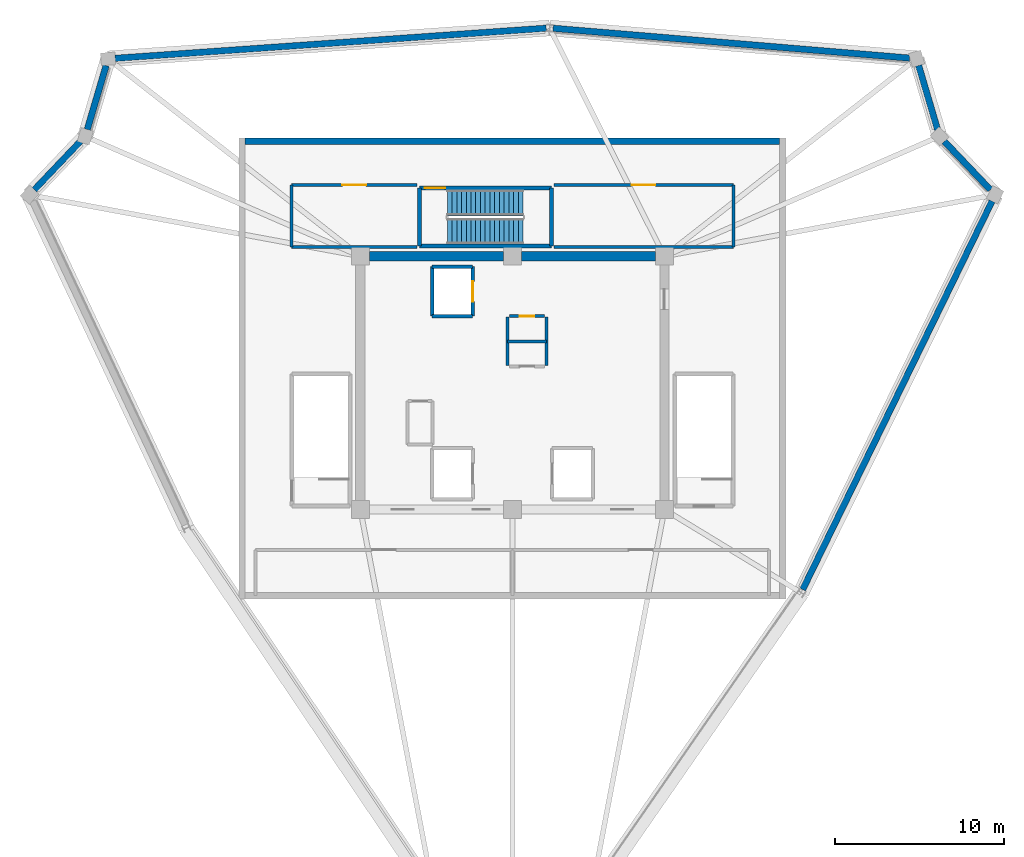
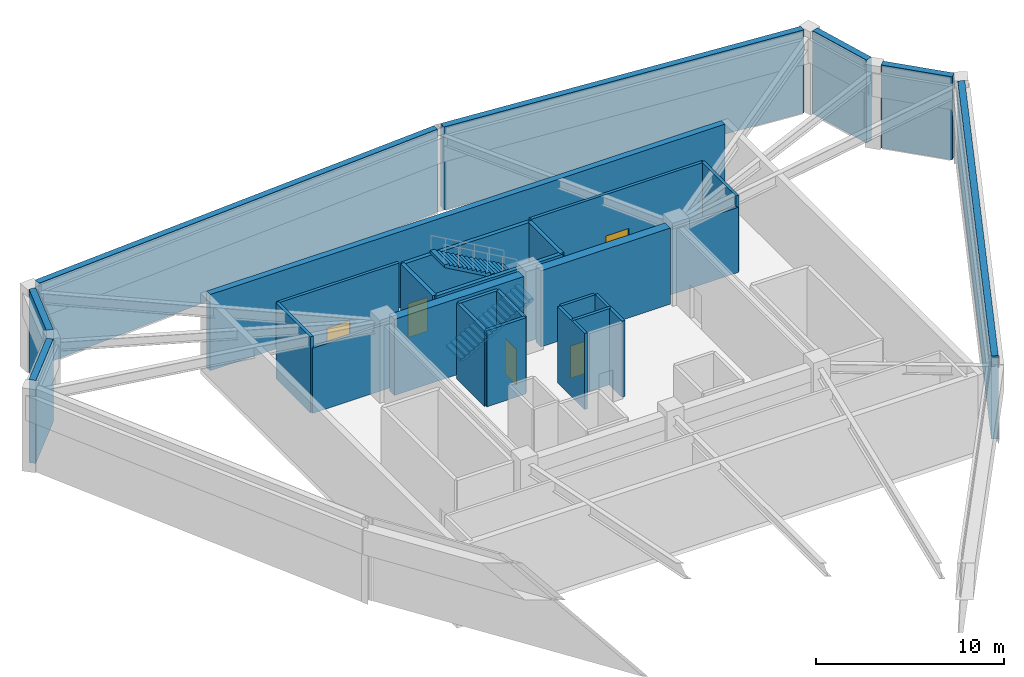
# One storey, part 5 of 6: 28 walls, 5 doors, 2 stair flights, 5 openings, 1 element without a shape of its own.
"""IFC4 building model written with IfcOpenShell, lengths in metres."""

from ifc_helpers import new_model, si_unit, direction, frame, frame_2d, origin, place, context, subcontext, project, spatial, polyline, rectangle, outline, extrude, source, transform, mapped, material, layer, layer_set, type_object, element, fill, aggregate, save


model = new_model("IFC4")

# Units and contexts
model_context = context("Model", 3, precision=1e-05, world=origin(), true_north=direction((0.0, 1.0)))
body_context = subcontext(model_context, "Body", "Model", "MODEL_VIEW")
ifc_project = project(units=[si_unit("LENGTHUNIT", "METRE"), si_unit("AREAUNIT", "SQUARE_METRE"), si_unit("VOLUMEUNIT", "CUBIC_METRE"), si_unit("PLANEANGLEUNIT", "RADIAN"), si_unit("MASSUNIT", "GRAM", prefix="KILO")], contexts=[model_context])

# Site, building, storey
site_placement = place(None, origin())
site = spatial("IfcSite", under=ifc_project, at=site_placement, CompositionType="ELEMENT")
building_placement = place(site_placement, origin())
building = spatial("IfcBuilding", under=site, at=building_placement, Name="Liaohun Quay Tower", CompositionType="ELEMENT")
storey_placement = place(building_placement, frame((0.0, 0.0, 366.0)))
storey = spatial("IfcBuildingStorey", under=building, at=storey_placement, Name="L94", CompositionType="ELEMENT", Elevation=366.0)

# Walls
ifc_material_1 = material(Name="Concrete C50", Category="concrete")
ifc_layer_1 = layer(ifc_material_1, 0.550048828125, Name="Concrete C50", Category="concrete")
ifc_layer_set_1 = layer_set([ifc_layer_1], Name="Concrete C50")
wall_type_1 = type_object("IfcWallType", Name="WAL-COR-Z4", PredefinedType="SHEAR", material=ifc_layer_set_1)
for number, where, z_axis, x_axis, name in (
    (1, (51.52490234375, 61.5, 0.0), (0.0, 0.0, 1.0), (1.0, 0.0, 0.0), "L94 Central Core Shear Wall N-W"),
    (2, (60.52490234375, 61.5, 0.0), (0.0, 0.0, 1.0), (1.0, 0.0, 0.0), "L94 Central Core Shear Wall N-E"),
):
    element("IfcWall", number, at=place(storey_placement, frame(where, z_axis=z_axis, x_axis=x_axis)), inside=storey, type_object=wall_type_1, Name=name, PredefinedType="SHEAR", context=body_context, shape_type="SweptSolid", body=[
        extrude(rectangle(XDim=7.9501953125, YDim=0.550048828125, at=frame_2d((3.97509765625, 0.0))), origin(), (0.0, 0.0, 1.0), 4.949951171875),
    ])
ifc_material_2 = material(Name="Precast concrete C50 insulated sandwich", Category="concrete")
ifc_layer_2 = layer(ifc_material_2, 0.3798828125, Name="Precast concrete C50 insulated sandwich", Category="concrete")
ifc_layer_set_2 = layer_set([ifc_layer_2], Name="Precast concrete C50 insulated sandwich")
wall_type_2 = type_object("IfcWallType", Name="WAL-EXT-Z34", PredefinedType="SOLIDWALL", material=ifc_layer_set_2)
wall_1_placement = place(storey_placement, frame((77.18408203125, 41.764892578125, 0.0), z_axis=(0.0, 0.0, 1.0), x_axis=(0.438352950957, 0.898802920772, 0.0)))
element("IfcWall", 3, at=wall_1_placement, inside=storey, type_object=wall_type_2, Name="L94 Crown Precast Enclosure Wall 03", PredefinedType="SOLIDWALL", context=body_context, shape_type="SweptSolid", body=[
    extrude(rectangle(XDim=25.588623046875, YDim=0.3798828125, at=frame_2d((12.79443359375, 0.0))), origin(), (0.0, 0.0, 1.0), 5.39990234375),
])
wall_2_placement = place(storey_placement, frame((88.297119140625, 65.43798828125, 0.0), z_axis=(0.0, 0.0, 1.0), x_axis=(-0.689429800436, 0.724352504152, 0.0)))
element("IfcWall", 4, at=wall_2_placement, inside=storey, type_object=wall_type_2, Name="L94 Crown Precast Enclosure Wall 04", PredefinedType="SOLIDWALL", context=body_context, shape_type="SweptSolid", body=[
    extrude(rectangle(XDim=3.949951171875, YDim=0.3798828125, at=frame_2d((1.97509765625, 0.0))), origin(), (0.0, 0.0, 1.0), 5.39990234375),
])
wall_3_placement = place(storey_placement, frame((85.1708984375, 68.998046875, 0.0), z_axis=(0.0, 0.0, 1.0), x_axis=(-0.282830565061, 0.959169886656, 0.0)))
element("IfcWall", 5, at=wall_3_placement, inside=storey, type_object=wall_type_2, Name="L94 Crown Precast Enclosure Wall 05", PredefinedType="SOLIDWALL", context=body_context, shape_type="SweptSolid", body=[
    extrude(rectangle(XDim=3.95947265625, YDim=0.3798828125, at=frame_2d((1.979736328125, 0.0))), origin(), (0.0, 0.0, 1.0), 5.39990234375),
])
wall_4_placement = place(storey_placement, frame((83.52001953125, 73.22900390625, 0.0), z_axis=(0.0, 0.0, 1.0), x_axis=(-0.996514770926, 0.083416493136, 0.0)))
element("IfcWall", 6, at=wall_4_placement, inside=storey, type_object=wall_type_2, Name="L94 Crown Precast Enclosure Wall 06", PredefinedType="SOLIDWALL", context=body_context, shape_type="SweptSolid", body=[
    extrude(rectangle(XDim=21.183837890625, YDim=0.3798828125, at=frame_2d((10.591796875, 0.0))), origin(), (0.0, 0.0, 1.0), 5.39990234375),
])
wall_5_placement = place(storey_placement, frame((62.0029296875, 74.9990234375, 0.0), z_axis=(0.0, 0.0, 1.0), x_axis=(-0.997564135174, -0.069755259409, 0.0)))
element("IfcWall", 7, at=wall_5_placement, inside=storey, type_object=wall_type_2, Name="L94 Crown Precast Enclosure Wall 07", PredefinedType="SOLIDWALL", context=body_context, shape_type="SweptSolid", body=[
    extrude(rectangle(XDim=25.588134765625, YDim=0.3798828125, at=frame_2d((12.7939453125, 0.0))), origin(), (0.0, 0.0, 1.0), 5.39990234375),
])
wall_6_placement = place(storey_placement, frame((35.946044921875, 72.787109375, 0.0), z_axis=(0.0, 0.0, 1.0), x_axis=(-0.282751831767, -0.959193099241, 0.0)))
element("IfcWall", 8, at=wall_6_placement, inside=storey, type_object=wall_type_2, Name="L94 Crown Precast Enclosure Wall 08", PredefinedType="SOLIDWALL", context=body_context, shape_type="SweptSolid", body=[
    extrude(rectangle(XDim=3.9501953125, YDim=0.3798828125, at=frame_2d((1.97509765625, 0.0))), origin(), (0.0, 0.0, 1.0), 5.39990234375),
])
wall_7_placement = place(storey_placement, frame((34.426025390625, 68.299072265625, 0.0), z_axis=(0.0, 0.0, 1.0), x_axis=(-0.689436444491, -0.724346180364, 0.0)))
element("IfcWall", 9, at=wall_7_placement, inside=storey, type_object=wall_type_2, Name="L94 Crown Precast Enclosure Wall 09", PredefinedType="SOLIDWALL", context=body_context, shape_type="SweptSolid", body=[
    extrude(rectangle(XDim=3.958251953125, YDim=0.3798828125, at=frame_2d((1.97900390625, 0.0))), origin(), (0.0, 0.0, 1.0), 5.39990234375),
])
wall_8_placement = place(storey_placement, frame((44.179931640625, 68.31005859375, 0.0), z_axis=(0.0, 0.0, 1.0), x_axis=(1.0, 0.0, 0.0)))
element("IfcWall", 10, at=wall_8_placement, inside=storey, type_object=wall_type_2, Name="L94 Crown Mechanical House Wall N", PredefinedType="SOLIDWALL", context=body_context, shape_type="SweptSolid", body=[
    extrude(rectangle(XDim=31.64013671875, YDim=0.3798828125, at=frame_2d((15.820068359375, 0.0))), origin(), (0.0, 0.0, 1.0), 4.949951171875),
])

# Wall, opening, door
ifc_material_3 = material(Name="Autoclaved aerated concrete blockwork", Category="masonry")
ifc_layer_3 = layer(ifc_material_3, 0.179931640625, Name="Autoclaved aerated concrete blockwork", Category="masonry")
ifc_layer_set_3 = layer_set([ifc_layer_3], Name="Autoclaved aerated concrete blockwork")
wall_type_3 = type_object("IfcWallType", Name="WAL-PRT-COR", PredefinedType="PARTITIONING", material=ifc_layer_set_3)
wall_9_placement = place(storey_placement, frame((59.840087890625, 57.949951171875, 0.0), z_axis=(0.0, 0.0, 1.0), x_axis=(1.0, 0.0, 0.0)))
wall_9 = element("IfcWall", 11, at=wall_9_placement, inside=storey, type_object=wall_type_3, Name="L94 Interior Partition Wall 002", PredefinedType="PARTITIONING", context=body_context, shape_type="SweptSolid", body=[
    extrude(rectangle(XDim=2.059814453125, YDim=0.179931640625, at=frame_2d((1.02978515625, 0.0))), origin(), (0.0, 0.0, 1.0), 4.949951171875),
])
shared_shape_1 = source(origin(), body_context, "Body", "SweptSolid", [
    extrude(rectangle(XDim=0.85009765625, YDim=2.10009765625, at=frame_2d((0.425048828125, 1.050048828125))), frame((0.0, 0.099853515625, 0.0), z_axis=(0.0, -1.0, 0.0), x_axis=(1.0, 0.0, 0.0)), (0.0, 0.0, 1.0), 0.199951171875),
])
opening_1_placement = place(wall_9_placement, frame((0.60498046875, 0.0, 0.0)))
opening_1 = element("IfcOpeningElement", 12, at=opening_1_placement, cuts=wall_9, Name="Opening AD1", PredefinedType="OPENING", context=body_context, shape_type="MappedRepresentation", body=[
    mapped(shared_shape_1, transform((0.0, 0.0, 0.0), x_axis=(1.0, 0.0, 0.0), y_axis=(0.0, 1.0, 0.0), z_axis=(0.0, 0.0, 1.0), scale=1.0)),
])
ifc_material_4 = material(Name="Steel riser inspection fire door", Category="steel")
door_type_1 = type_object("IfcDoorType", Name="DOR-SHF-850", OperationType="NOTDEFINED", PredefinedType="DOOR", material=ifc_material_4)
shared_shape_2 = source(origin(), body_context, "Body", "SweptSolid", [
    extrude(rectangle(XDim=0.85009765625, YDim=2.10009765625, at=frame_2d((0.425048828125, 1.050048828125))), frame((0.0, 0.02490234375, 0.0), z_axis=(0.0, -1.0, 0.0), x_axis=(1.0, 0.0, 0.0)), (0.0, 0.0, 1.0), 0.050048828125),
])
door_1_placement = place(opening_1_placement, origin())
door_1 = element("IfcDoor", 13, at=door_1_placement, inside=storey, type_object=door_type_1, Name="L94 Telecom Comms Closet Door", OperationType="SINGLE_SWING_RIGHT", OverallHeight=2.10009765625, OverallWidth=0.85009765625, PredefinedType="DOOR", context=body_context, shape_type="MappedRepresentation", body=[
    mapped(shared_shape_2, transform((0.0, 0.0, 0.0), x_axis=(1.0, 0.0, 0.0), y_axis=(0.0, 1.0, 0.0), z_axis=(0.0, 0.0, 1.0), scale=1.0)),
])
fill(opening_1, door_1)

wall_10_placement = place(storey_placement, frame((46.919921875, 65.719970703125, 0.0), z_axis=(0.0, 0.0, 1.0), x_axis=(1.0, 0.0, 0.0)))
wall_10 = element("IfcWall", 14, at=wall_10_placement, inside=storey, type_object=wall_type_3, Name="L94 Interior Partition Wall 006", PredefinedType="PARTITIONING", context=body_context, shape_type="SweptSolid", body=[
    extrude(rectangle(XDim=7.43017578125, YDim=0.179931640625, at=frame_2d((3.715087890625, 0.0))), origin(), (0.0, 0.0, 1.0), 4.949951171875),
])
shared_shape_3 = source(origin(), body_context, "Body", "SweptSolid", [
    extrude(rectangle(XDim=1.39990234375, YDim=2.25, at=frame_2d((0.699951171875, 1.125))), frame((0.0, 0.099853515625, 0.0), z_axis=(0.0, -1.0, 0.0), x_axis=(1.0, 0.0, 0.0)), (0.0, 0.0, 1.0), 0.199951171875),
])
opening_2_placement = place(wall_10_placement, frame((3.014892578125, 0.0, 0.0)))
opening_2 = element("IfcOpeningElement", 15, at=opening_2_placement, cuts=wall_10, Name="Opening MD1", PredefinedType="OPENING", context=body_context, shape_type="MappedRepresentation", body=[
    mapped(shared_shape_3, transform((0.0, 0.0, 0.0), x_axis=(1.0, 0.0, 0.0), y_axis=(0.0, 1.0, 0.0), z_axis=(0.0, 0.0, 1.0), scale=1.0)),
])
ifc_material_5 = material(Name="Insulated steel plant room door", Category="steel")
door_type_2 = type_object("IfcDoorType", Name="DOR-MEP-1400", OperationType="DOUBLE_DOOR_SINGLE_SWING", PredefinedType="DOOR", material=ifc_material_5)
shared_shape_4 = source(origin(), body_context, "Body", "SweptSolid", [
    extrude(rectangle(XDim=1.39990234375, YDim=2.25, at=frame_2d((0.699951171875, 1.125))), frame((0.0, 0.02490234375, 0.0), z_axis=(0.0, -1.0, 0.0), x_axis=(1.0, 0.0, 0.0)), (0.0, 0.0, 1.0), 0.050048828125),
])
door_2_placement = place(opening_2_placement, origin())
door_2 = element("IfcDoor", 16, at=door_2_placement, inside=storey, type_object=door_type_2, Name="L94 Aviation Beacon and Emergency UPS Plant Room Door", OperationType="DOUBLE_DOOR_SINGLE_SWING", OverallHeight=2.25, OverallWidth=1.39990234375, PredefinedType="DOOR", context=body_context, shape_type="MappedRepresentation", body=[
    mapped(shared_shape_4, transform((0.0, 0.0, 0.0), x_axis=(1.0, 0.0, 0.0), y_axis=(0.0, 1.0, 0.0), z_axis=(0.0, 0.0, 1.0), scale=1.0)),
])
fill(opening_2, door_2)

wall_11_placement = place(storey_placement, frame((62.449951171875, 65.719970703125, 0.0), z_axis=(0.0, 0.0, 1.0), x_axis=(1.0, 0.0, 0.0)))
wall_11 = element("IfcWall", 17, at=wall_11_placement, inside=storey, type_object=wall_type_3, Name="L94 Interior Partition Wall 007", PredefinedType="PARTITIONING", context=body_context, shape_type="SweptSolid", body=[
    extrude(rectangle(XDim=10.630126953125, YDim=0.179931640625, at=frame_2d((5.31494140625, 0.0))), origin(), (0.0, 0.0, 1.0), 4.949951171875),
])
opening_3_placement = place(wall_11_placement, frame((4.614990234375, 0.0, 0.0)))
opening_3 = element("IfcOpeningElement", 18, at=opening_3_placement, cuts=wall_11, Name="Opening MD1", PredefinedType="OPENING", context=body_context, shape_type="MappedRepresentation", body=[
    mapped(shared_shape_3, transform((0.0, 0.0, 0.0), x_axis=(1.0, 0.0, 0.0), y_axis=(0.0, 1.0, 0.0), z_axis=(0.0, 0.0, 1.0), scale=1.0)),
])
door_3_placement = place(opening_3_placement, origin())
door_3 = element("IfcDoor", 19, at=door_3_placement, inside=storey, type_object=door_type_2, Name="L94 Firefighting Lift Motor and Control Plant Room Door", OperationType="DOUBLE_DOOR_SINGLE_SWING", OverallHeight=2.25, OverallWidth=1.39990234375, PredefinedType="DOOR", context=body_context, shape_type="MappedRepresentation", body=[
    mapped(shared_shape_4, transform((0.0, 0.0, 0.0), x_axis=(1.0, 0.0, 0.0), y_axis=(0.0, 1.0, 0.0), z_axis=(0.0, 0.0, 1.0), scale=1.0)),
])
fill(opening_3, door_3)

# Walls
for number, where, z_axis, x_axis, name in (
    (20, (59.719970703125, 55.02001953125, 0.0), (0.0, 0.0, 1.0), (0.0, 1.0, 0.0), "L94 Interior Partition Wall 008"),
    (21, (62.010009765625, 55.02001953125, 0.0), (0.0, 0.0, 1.0), (0.0, 1.0, 0.0), "L94 Interior Partition Wall 009"),
):
    element("IfcWall", number, at=place(storey_placement, frame(where, z_axis=z_axis, x_axis=x_axis)), inside=storey, type_object=wall_type_3, Name=name, PredefinedType="PARTITIONING", context=body_context, shape_type="SweptSolid", body=[
        extrude(rectangle(XDim=2.8798828125, YDim=0.179931640625, at=frame_2d((1.43994140625, 0.0))), origin(), (0.0, 0.0, 1.0), 4.949951171875),
    ])
wall_12_placement = place(storey_placement, frame((59.719970703125, 56.4599609375, 0.0), z_axis=(0.0, 0.0, 1.0), x_axis=(1.0, 0.0, 0.0)))
element("IfcWall", 22, at=wall_12_placement, inside=storey, type_object=wall_type_3, Name="L94 Interior Partition Wall 010", PredefinedType="PARTITIONING", context=body_context, shape_type="SweptSolid", body=[
    extrude(rectangle(XDim=2.2900390625, YDim=0.179931640625, at=frame_2d((1.14501953125, 0.0))), origin(), (0.0, 0.0, 1.0), 4.949951171875),
])
wall_13_placement = place(storey_placement, frame((46.919921875, 62.050048828125, 0.0), z_axis=(0.0, 0.0, 1.0), x_axis=(1.0, 0.0, 0.0)))
element("IfcWall", 23, at=wall_13_placement, inside=storey, type_object=wall_type_3, Name="L94 Interior Partition Wall 015", PredefinedType="PARTITIONING", context=body_context, shape_type="SweptSolid", body=[
    extrude(rectangle(XDim=7.43017578125, YDim=0.179931640625, at=frame_2d((3.715087890625, 0.0))), origin(), (0.0, 0.0, 1.0), 4.235107421875),
])
wall_14_placement = place(storey_placement, frame((62.449951171875, 62.050048828125, 0.0), z_axis=(0.0, 0.0, 1.0), x_axis=(1.0, 0.0, 0.0)))
element("IfcWall", 24, at=wall_14_placement, inside=storey, type_object=wall_type_3, Name="L94 Interior Partition Wall 016", PredefinedType="PARTITIONING", context=body_context, shape_type="SweptSolid", body=[
    extrude(rectangle(XDim=10.630126953125, YDim=0.179931640625, at=frame_2d((5.31494140625, 0.0))), origin(), (0.0, 0.0, 1.0), 4.235107421875),
])
for number, where, z_axis, x_axis, name in (
    (25, (46.919921875, 62.050048828125, 0.0), (0.0, 0.0, 1.0), (0.0, 1.0, 0.0), "L94 Interior Partition Wall 019"),
    (26, (73.080078125, 62.050048828125, 0.0), (0.0, 0.0, 1.0), (0.0, 1.0, 0.0), "L94 Interior Partition Wall 020"),
):
    element("IfcWall", number, at=place(storey_placement, frame(where, z_axis=z_axis, x_axis=x_axis)), inside=storey, type_object=wall_type_3, Name=name, PredefinedType="PARTITIONING", context=body_context, shape_type="SweptSolid", body=[
        extrude(rectangle(XDim=3.669921875, YDim=0.179931640625, at=frame_2d((1.8349609375, 0.0))), origin(), (0.0, 0.0, 1.0), 4.949951171875),
    ])
ifc_layer_4 = layer(ifc_material_1, 0.239990234375, Name="Concrete C50", Category="concrete")
ifc_layer_set_4 = layer_set([ifc_layer_4], Name="Concrete C50")
wall_type_4 = type_object("IfcWallType", Name="WAL-SHF-200", PredefinedType="SOLIDWALL", material=ifc_layer_set_4)
wall_15_placement = place(storey_placement, frame((54.5, 62.10009765625, 0.0), z_axis=(0.0, 0.0, 1.0), x_axis=(1.0, 0.0, 0.0)))
element("IfcWall", 27, at=wall_15_placement, inside=storey, type_object=wall_type_4, Name="L94 Stairwell ST-3 Structural Core Wall S", PredefinedType="SOLIDWALL", context=body_context, shape_type="SweptSolid", body=[
    extrude(rectangle(XDim=7.820068359375, YDim=0.239990234375, at=frame_2d((3.91015625, 0.0))), origin(), (0.0, 0.0, 1.0), 4.949951171875),
])
wall_16_placement = place(storey_placement, frame((62.320068359375, 62.10009765625, 0.0), z_axis=(0.0, 0.0, 1.0), x_axis=(0.0, 1.0, 0.0)))
element("IfcWall", 28, at=wall_16_placement, inside=storey, type_object=wall_type_4, Name="L94 Stairwell ST-3 Structural Core Wall E", PredefinedType="SOLIDWALL", context=body_context, shape_type="SweptSolid", body=[
    extrude(rectangle(XDim=3.43994140625, YDim=0.239990234375, at=frame_2d((1.719970703125, 0.0))), origin(), (0.0, 0.0, 1.0), 4.949951171875),
])

# Wall, opening, door
wall_17_placement = place(storey_placement, frame((62.320068359375, 65.5400390625, 0.0), z_axis=(0.0, 0.0, 1.0), x_axis=(-1.0, 0.0, 0.0)))
wall_17 = element("IfcWall", 29, at=wall_17_placement, inside=storey, type_object=wall_type_4, Name="L94 Stairwell ST-3 Structural Core Wall N", PredefinedType="SOLIDWALL", context=body_context, shape_type="SweptSolid", body=[
    extrude(rectangle(XDim=7.820068359375, YDim=0.239990234375, at=frame_2d((3.91015625, 0.0))), origin(), (0.0, 0.0, 1.0), 4.949951171875),
])
shared_shape_5 = source(origin(), body_context, "Body", "SweptSolid", [
    extrude(rectangle(XDim=1.199951171875, YDim=2.199951171875, at=frame_2d((0.60009765625, 1.10009765625))), frame((0.0, 0.1298828125, 0.0), z_axis=(0.0, -1.0, 0.0), x_axis=(1.0, 0.0, 0.0)), (0.0, 0.0, 1.0), 0.260009765625),
])
opening_4_placement = place(wall_17_placement, frame((6.300048828125, 0.0, 0.0)))
opening_4 = element("IfcOpeningElement", 30, at=opening_4_placement, cuts=wall_17, Name="Opening SD1", PredefinedType="OPENING", context=body_context, shape_type="MappedRepresentation", body=[
    mapped(shared_shape_5, transform((0.0, 0.0, 0.0), x_axis=(1.0, 0.0, 0.0), y_axis=(0.0, 1.0, 0.0), z_axis=(0.0, 0.0, 1.0), scale=1.0)),
])
ifc_material_6 = material(Name="Galvanised steel fire door", Category="steel")
door_type_3 = type_object("IfcDoorType", Name="DOR-STR-1200", OperationType="NOTDEFINED", PredefinedType="DOOR", material=ifc_material_6)
shared_shape_6 = source(origin(), body_context, "Body", "SweptSolid", [
    extrude(rectangle(XDim=1.199951171875, YDim=2.199951171875, at=frame_2d((0.60009765625, 1.10009765625))), frame((0.0, 0.02490234375, 0.0), z_axis=(0.0, -1.0, 0.0), x_axis=(1.0, 0.0, 0.0)), (0.0, 0.0, 1.0), 0.050048828125),
])
door_4_placement = place(opening_4_placement, origin())
door_4 = element("IfcDoor", 31, at=door_4_placement, inside=storey, type_object=door_type_3, Name="L94 Protected Stair ST-3 Fire Door", OperationType="SINGLE_SWING_RIGHT", OverallHeight=2.199951171875, OverallWidth=1.199951171875, PredefinedType="DOOR", context=body_context, shape_type="MappedRepresentation", body=[
    mapped(shared_shape_6, transform((0.0, 0.0, 0.0), x_axis=(1.0, 0.0, 0.0), y_axis=(0.0, 1.0, 0.0), z_axis=(0.0, 0.0, 1.0), scale=1.0)),
])
fill(opening_4, door_4)

# Walls
wall_18_placement = place(storey_placement, frame((54.5, 65.5400390625, 0.0), z_axis=(0.0, 0.0, 1.0), x_axis=(0.0, -1.0, 0.0)))
element("IfcWall", 32, at=wall_18_placement, inside=storey, type_object=wall_type_4, Name="L94 Stairwell ST-3 Structural Core Wall W", PredefinedType="SOLIDWALL", context=body_context, shape_type="SweptSolid", body=[
    extrude(rectangle(XDim=3.43994140625, YDim=0.239990234375, at=frame_2d((1.719970703125, 0.0))), origin(), (0.0, 0.0, 1.0), 4.949951171875),
])
wall_19_placement = place(storey_placement, frame((55.25, 57.949951171875, 0.0), z_axis=(0.0, 0.0, 1.0), x_axis=(1.0, 0.0, 0.0)))
element("IfcWall", 33, at=wall_19_placement, inside=storey, type_object=wall_type_4, Name="L94 Lift FF-03 Hoistway Wall S", PredefinedType="SOLIDWALL", context=body_context, shape_type="SweptSolid", body=[
    extrude(rectangle(XDim=2.39990234375, YDim=0.199951171875, at=frame_2d((1.199951171875, 0.0))), origin(), (0.0, 0.0, 1.0), 4.949951171875),
])

# Wall, opening, door
wall_20_placement = place(storey_placement, frame((57.64990234375, 57.949951171875, 0.0), z_axis=(0.0, 0.0, 1.0), x_axis=(0.0, 1.0, 0.0)))
wall_20 = element("IfcWall", 34, at=wall_20_placement, inside=storey, type_object=wall_type_4, Name="L94 Lift FF-03 Hoistway Wall E", PredefinedType="SOLIDWALL", context=body_context, shape_type="SweptSolid", body=[
    extrude(rectangle(XDim=2.929931640625, YDim=0.199951171875, at=frame_2d((1.46484375, 0.0))), origin(), (0.0, 0.0, 1.0), 4.949951171875),
])
shared_shape_7 = source(origin(), body_context, "Body", "SweptSolid", [
    extrude(rectangle(XDim=1.199951171875, YDim=2.300048828125, at=frame_2d((0.60009765625, 1.14990234375))), frame((0.0, 0.10986328125, 0.0), z_axis=(0.0, -1.0, 0.0), x_axis=(1.0, 0.0, 0.0)), (0.0, 0.0, 1.0), 0.219970703125),
])
opening_5_placement = place(wall_20_placement, frame((0.864990234375, 0.0, 0.0)))
opening_5 = element("IfcOpeningElement", 35, at=opening_5_placement, cuts=wall_20, Name="Opening LD2", PredefinedType="OPENING", context=body_context, shape_type="MappedRepresentation", body=[
    mapped(shared_shape_7, transform((0.0, 0.0, 0.0), x_axis=(1.0, 0.0, 0.0), y_axis=(0.0, 1.0, 0.0), z_axis=(0.0, 0.0, 1.0), scale=1.0)),
])
ifc_material_7 = material(Name="Brushed stainless steel stretcher landing door", Category="steel")
door_type_4 = type_object("IfcDoorType", Name="DOR-LFT-1200", OperationType="SLIDING_TO_LEFT", PredefinedType="DOOR", material=ifc_material_7)
shared_shape_8 = source(origin(), body_context, "Body", "SweptSolid", [
    extrude(rectangle(XDim=1.199951171875, YDim=2.300048828125, at=frame_2d((0.60009765625, 1.14990234375))), frame((0.0, 0.02490234375, 0.0), z_axis=(0.0, -1.0, 0.0), x_axis=(1.0, 0.0, 0.0)), (0.0, 0.0, 1.0), 0.050048828125),
])
door_5_placement = place(opening_5_placement, origin())
door_5 = element("IfcDoor", 36, at=door_5_placement, inside=storey, type_object=door_type_4, Name="L94 Lift FF-03 Sliding Landing Door", OperationType="SLIDING_TO_LEFT", OverallHeight=2.300048828125, OverallWidth=1.199951171875, PredefinedType="DOOR", context=body_context, shape_type="MappedRepresentation", body=[
    mapped(shared_shape_8, transform((0.0, 0.0, 0.0), x_axis=(1.0, 0.0, 0.0), y_axis=(0.0, 1.0, 0.0), z_axis=(0.0, 0.0, 1.0), scale=1.0)),
])
fill(opening_5, door_5)

# Walls
wall_21_placement = place(storey_placement, frame((57.64990234375, 60.8798828125, 0.0), z_axis=(0.0, 0.0, 1.0), x_axis=(-1.0, 0.0, 0.0)))
element("IfcWall", 37, at=wall_21_placement, inside=storey, type_object=wall_type_4, Name="L94 Lift FF-03 Hoistway Wall N", PredefinedType="SOLIDWALL", context=body_context, shape_type="SweptSolid", body=[
    extrude(rectangle(XDim=2.39990234375, YDim=0.199951171875, at=frame_2d((1.199951171875, 0.0))), origin(), (0.0, 0.0, 1.0), 4.949951171875),
])
wall_22_placement = place(storey_placement, frame((55.25, 60.8798828125, 0.0), z_axis=(0.0, 0.0, 1.0), x_axis=(0.0, -1.0, 0.0)))
element("IfcWall", 38, at=wall_22_placement, inside=storey, type_object=wall_type_4, Name="L94 Lift FF-03 Hoistway Wall W", PredefinedType="SOLIDWALL", context=body_context, shape_type="SweptSolid", body=[
    extrude(rectangle(XDim=2.929931640625, YDim=0.199951171875, at=frame_2d((1.46484375, 0.0))), origin(), (0.0, 0.0, 1.0), 4.949951171875),
])

# Stair, stair flights
ifc_material_8 = material(Name="Concrete C45", Category="concrete")
stair_type = type_object("IfcStairType", Name="STR-CORE-CRN", PredefinedType="HALF_TURN_STAIR", material=ifc_material_8)
stair_placement = place(storey_placement, origin())
stair = element("IfcStair", 39, at=stair_placement, inside=storey, type_object=stair_type, Name="L94 Smokeproof Core Exit Stair ST-3", PredefinedType="HALF_TURN_STAIR")
stair_flight_type = type_object("IfcStairFlightType", Name="FLT-CORE-155", PredefinedType="STRAIGHT", material=ifc_material_8)
stair_flight_1_placement = place(storey_placement, frame((56.14990234375, 62.97509765625, 0.0), z_axis=(0.0, 0.0, 1.0), x_axis=(1.0, 0.0, 0.0)))
stair_flight_1 = element("IfcStairFlight", 40, at=stair_flight_1_placement, type_object=stair_flight_type, Name="ST-3 flight 1", NumberOfRisers=17, NumberOfTreads=16, PredefinedType="STRAIGHT", RiserHeight=0.158823529, TreadLength=0.28, context=body_context, shape_type="SweptSolid", body=[
    extrude(outline(polyline([(0.0, 0.0), (0.0, 0.158935546875), (0.280029296875, 0.158935546875), (0.280029296875, 0.317626953125), (0.56005859375, 0.317626953125), (0.56005859375, 0.4765625), (0.840087890625, 0.4765625), (0.840087890625, 0.63525390625), (1.1201171875, 0.63525390625), (1.1201171875, 0.794189453125), (1.39990234375, 0.794189453125), (1.39990234375, 0.952880859375), (1.679931640625, 0.952880859375), (1.679931640625, 1.11181640625), (1.9599609375, 1.11181640625), (1.9599609375, 1.2705078125), (2.239990234375, 1.2705078125), (2.239990234375, 1.429443359375), (2.52001953125, 1.429443359375), (2.52001953125, 1.588134765625), (2.800048828125, 1.588134765625), (2.800048828125, 1.7470703125), (3.080078125, 1.7470703125), (3.080078125, 1.90576171875), (3.360107421875, 1.90576171875), (3.360107421875, 2.064697265625), (3.639892578125, 2.064697265625), (3.639892578125, 2.2236328125), (3.919921875, 2.2236328125), (3.919921875, 2.38232421875), (4.199951171875, 2.38232421875), (4.199951171875, 2.541259765625), (4.47998046875, 2.541259765625), (4.47998046875, 2.699951171875), (4.47998046875, 2.368896484375), (0.3037109375, 0.0), (0.0, 0.0)])), frame((0.0, 0.77490234375, 0.0), z_axis=(0.0, -1.0, 0.0), x_axis=(1.0, 0.0, 0.0)), (0.0, 0.0, 1.0), 1.550048828125),
])
stair_flight_2_placement = place(storey_placement, frame((60.6298828125, 64.6650390625, 2.699951171875), z_axis=(0.0, 0.0, 1.0), x_axis=(-1.0, 0.0, 0.0)))
stair_flight_2 = element("IfcStairFlight", 41, at=stair_flight_2_placement, type_object=stair_flight_type, Name="ST-3 flight 2", NumberOfRisers=17, NumberOfTreads=16, PredefinedType="STRAIGHT", RiserHeight=0.158823529, TreadLength=0.28, context=body_context, shape_type="SweptSolid", body=[
    extrude(outline(polyline([(0.0, 0.0), (0.0, 0.158935546875), (0.280029296875, 0.158935546875), (0.280029296875, 0.317626953125), (0.56005859375, 0.317626953125), (0.56005859375, 0.4765625), (0.840087890625, 0.4765625), (0.840087890625, 0.63525390625), (1.1201171875, 0.63525390625), (1.1201171875, 0.794189453125), (1.39990234375, 0.794189453125), (1.39990234375, 0.952880859375), (1.679931640625, 0.952880859375), (1.679931640625, 1.11181640625), (1.9599609375, 1.11181640625), (1.9599609375, 1.2705078125), (2.239990234375, 1.2705078125), (2.239990234375, 1.429443359375), (2.52001953125, 1.429443359375), (2.52001953125, 1.588134765625), (2.800048828125, 1.588134765625), (2.800048828125, 1.7470703125), (3.080078125, 1.7470703125), (3.080078125, 1.90576171875), (3.360107421875, 1.90576171875), (3.360107421875, 2.064697265625), (3.639892578125, 2.064697265625), (3.639892578125, 2.2236328125), (3.919921875, 2.2236328125), (3.919921875, 2.38232421875), (4.199951171875, 2.38232421875), (4.199951171875, 2.541259765625), (4.47998046875, 2.541259765625), (4.47998046875, 2.699951171875), (4.47998046875, 2.368896484375), (0.3037109375, 0.0), (0.0, 0.0)])), frame((0.0, 0.77490234375, 0.0), z_axis=(0.0, -1.0, 0.0), x_axis=(1.0, 0.0, 0.0)), (0.0, 0.0, 1.0), 1.550048828125),
])
aggregate(stair, [stair_flight_1, stair_flight_2])

save(model, "model.ifc")
